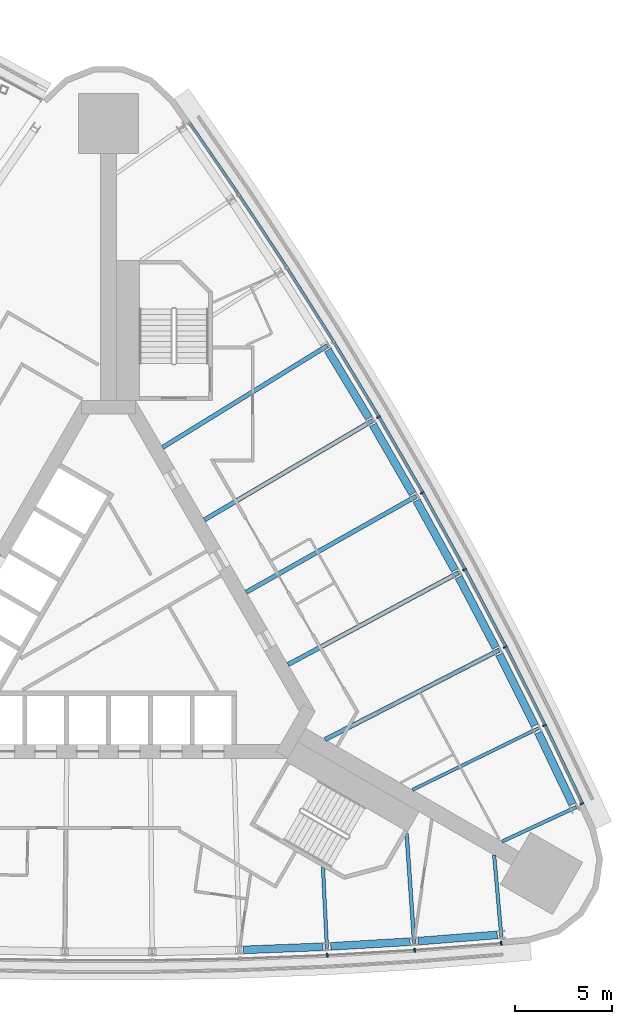
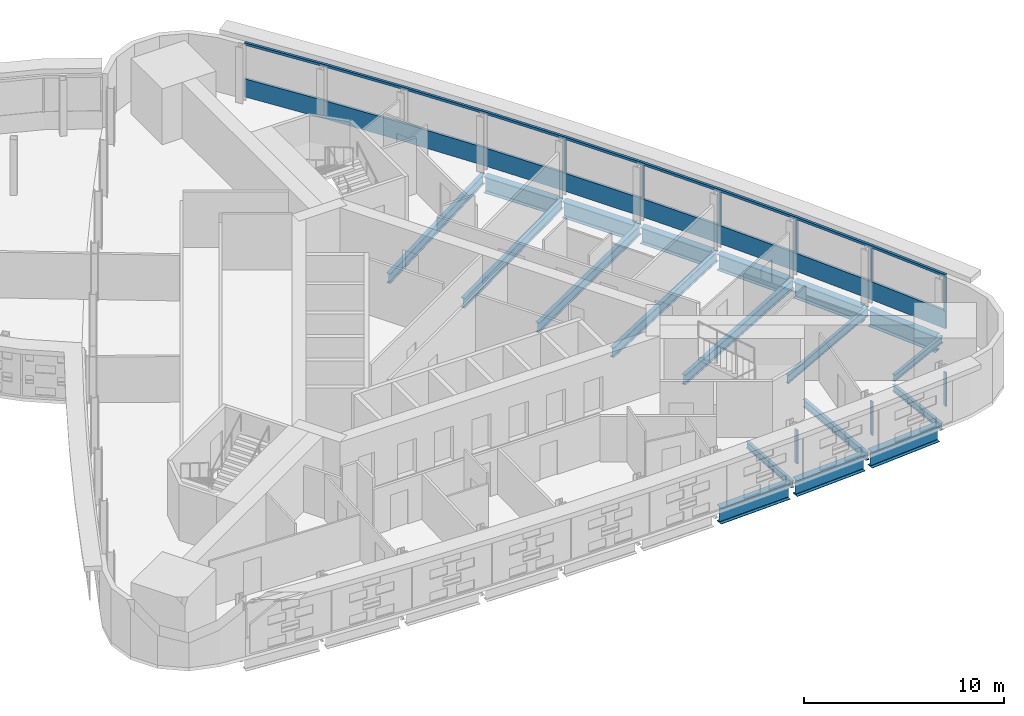
# One storey, part 7 of 16: 19 beams, 11 members, 2 elements without a shape of their own.
"""IFC4 building model written with IfcOpenShell, lengths in metres."""

from ifc_helpers import new_model, si_unit, direction, frame, origin, origin_2d, place, context, subcontext, project, spatial, polyline, rectangle, i_section, outline, extrude, material, material_profile, profile_set, type_object, element, aggregate, save


model = new_model("IFC4")

# Units and contexts
model_context = context("Model", 3, precision=1e-05, world=origin(), true_north=direction((0.0, 1.0)))
body_context = subcontext(model_context, "Body", "Model", "MODEL_VIEW")
ifc_project = project(units=[si_unit("LENGTHUNIT", "METRE"), si_unit("AREAUNIT", "SQUARE_METRE"), si_unit("VOLUMEUNIT", "CUBIC_METRE"), si_unit("PLANEANGLEUNIT", "RADIAN"), si_unit("MASSUNIT", "GRAM", prefix="KILO")], contexts=[model_context])

# Site, building, storey
site_placement = place(None, origin())
site = spatial("IfcSite", under=ifc_project, at=site_placement, CompositionType="ELEMENT")
building_placement = place(site_placement, origin())
building = spatial("IfcBuilding", under=site, at=building_placement, Name="Noor Cloister Tower", CompositionType="ELEMENT")
storey_placement = place(building_placement, frame((0.0, 0.0, 91.5)))
storey = spatial("IfcBuildingStorey", under=building, at=storey_placement, Name="L23", CompositionType="ELEMENT", Elevation=91.5)

# Beams
ifc_material_1 = material(Name="Steel ASTM A992 Gr 50", Category="steel")
ifc_material_profile_1 = material_profile(ifc_material_1, i_section(OverallWidth=0.40087890625, OverallDepth=0.98291015625, WebThickness=0.0166015625, FlangeThickness=0.027099609375, FilletRadius=0.030029296875, at=origin_2d()), Name="W1000x296")
ifc_profile_set_1 = profile_set([ifc_material_profile_1], Name="Steel ASTM A992 Gr 50")
beam_type_1 = type_object("IfcBeamType", Name="Belt chord girder W1000x296", PredefinedType="BEAM", material=ifc_profile_set_1)
for number, where, z_axis, x_axis, name in (
    (1, (6.93310546875, -16.770263671875, -0.69140625), (0.999225288123, 0.039355095916, 0.0), (-0.039355095916, 0.999225288123, 0.0), "Spandrel beam S 07 L23"),
    (2, (11.41845703125, -16.589599609375, -0.69140625), (0.998257859765, 0.059002079771, 0.0), (-0.059002079771, 0.998257859765, 0.0), "Spandrel beam S 08 L23"),
    (3, (15.899658203125, -16.32080078125, -0.69140625), (0.996902216322, 0.078650944641, 0.0), (-0.078650944641, 0.996902216322, 0.0), "Spandrel beam S 09 L23"),
    (4, (23.84326171875, -9.29931640625, -0.69140625), (-0.430341530423, 0.902666143817, 0.0), (-0.902666143817, -0.430341530423, 0.0), "Spandrel beam NE 01 L23"),
    (5, (21.90771484375, -5.248779296875, -0.69140625), (-0.448025614309, 0.894020720634, 0.0), (-0.894020720634, -0.448025614309, 0.0), "Spandrel beam NE 02 L23"),
    (6, (19.89306640625, -1.2373046875, -0.69140625), (-0.465512591223, 0.885041257464, 0.0), (-0.885041257464, -0.465512591223, 0.0), "Spandrel beam NE 03 L23"),
):
    element("IfcBeam", number, at=place(storey_placement, frame(where, z_axis=z_axis, x_axis=x_axis)), inside=storey, type_object=beam_type_1, Name=name, PredefinedType="BEAM", context=body_context, shape_type="SweptSolid", body=[
        extrude(i_section(OverallWidth=0.40087890625, OverallDepth=0.98291015625, WebThickness=0.0166015625, FlangeThickness=0.027099609375, FilletRadius=0.030029296875, at=origin_2d()), origin(), (0.0, 0.0, 1.0), 4.088134765625),
    ])
beam_1_placement = place(storey_placement, frame((17.7998046875, 2.73388671875, -0.69140625), z_axis=(-0.482851559561, 0.875702216184, 0.0), x_axis=(-0.875702216184, -0.482851559561, 0.0)))
element("IfcBeam", 7, at=beam_1_placement, inside=storey, type_object=beam_type_1, Name="Spandrel beam NE 04 L23", PredefinedType="BEAM", context=body_context, shape_type="SweptSolid", body=[
    extrude(i_section(OverallWidth=0.40087890625, OverallDepth=0.98291015625, WebThickness=0.0166015625, FlangeThickness=0.027099609375, FilletRadius=0.030029296875, at=origin_2d()), origin(), (0.0, 0.0, 1.0), 4.087890625),
])
for number, where, z_axis, x_axis, name in (
    (8, (15.62890625, 6.6630859375, -0.69140625), (-0.500037791097, 0.866003583985, 0.0), (-0.866003583985, -0.500037791097, 0.0), "Spandrel beam NE 05 L23"),
    (9, (13.380859375, 10.548583984375, -0.69140625), (-0.516935158604, 0.856024556773, 0.0), (-0.856024556773, -0.516935158604, 0.0), "Spandrel beam NE 06 L23"),
):
    element("IfcBeam", number, at=place(storey_placement, frame(where, z_axis=z_axis, x_axis=x_axis)), inside=storey, type_object=beam_type_1, Name=name, PredefinedType="BEAM", context=body_context, shape_type="SweptSolid", body=[
        extrude(i_section(OverallWidth=0.40087890625, OverallDepth=0.98291015625, WebThickness=0.0166015625, FlangeThickness=0.027099609375, FilletRadius=0.030029296875, at=origin_2d()), origin(), (0.0, 0.0, 1.0), 4.088134765625),
    ])

# Curtain wall, member
ifc_material_2 = material(Name="Aluminium 6063-T6 anodised", Category="aluminium")
curtain_wall_type = type_object("IfcCurtainWallType", Name="Ribbon curtain wall, lower tower CW1", PredefinedType="NOTDEFINED", material=ifc_material_2)
curtain_wall_1_placement = place(storey_placement, origin())
curtain_wall_1 = element("IfcCurtainWall", 10, at=curtain_wall_1_placement, inside=storey, type_object=curtain_wall_type, Name="CW1 L23 NE run 4", PredefinedType="NOTDEFINED")
ifc_material_3 = material(Name="Aluminium 6063-T6 anodised", Category="aluminium")
member_type_1 = type_object("IfcMemberType", Name="Head transom CW1 150", PredefinedType="USERDEFINED", material=ifc_material_3)
member_1_placement = place(storey_placement, frame((0.0, 0.0, 3.14990234375)))
member_1 = element("IfcMember", 11, at=member_1_placement, type_object=member_type_1, Name="CW1 head transom", ObjectType="TRANSOM", PredefinedType="USERDEFINED", context=body_context, shape_type="SweptSolid", body=[
    extrude(outline(polyline([(24.42822265625, -9.24853515625), (22.49169921875, -5.1865234375), (20.475830078125, -1.16357421875), (18.380859375, 2.819091796875), (16.2080078125, 6.759765625), (13.9580078125, 10.65673828125), (11.6318359375, 14.5087890625), (9.230224609375, 18.314208984375), (6.754150390625, 22.07177734375), (4.204833984375, 25.77978515625), (4.08935546875, 25.700439453125), (6.63818359375, 21.993408203125), (9.112548828125, 18.23828125), (11.5126953125, 14.435302734375), (13.83740234375, 10.58544921875), (16.086181640625, 6.69091796875), (18.257568359375, 2.752685546875), (20.35107421875, -1.2275390625), (22.365966796875, -5.248046875), (24.302001953125, -9.30859375), (24.42822265625, -9.24853515625)])), origin(), (0.0, 0.0, 1.0), 0.150146484375),
])

# Curtain wall, members
curtain_wall_2_placement = place(storey_placement, origin())
curtain_wall_2 = element("IfcCurtainWall", 12, at=curtain_wall_2_placement, inside=storey, type_object=curtain_wall_type, Name="CW1 L23 S run 3", PredefinedType="NOTDEFINED")
ifc_material_4 = material(Name="Aluminium 6063-T6 anodised", Category="aluminium")
ifc_material_profile_2 = material_profile(ifc_material_4, rectangle(XDim=0.199951171875, YDim=0.080078125, at=origin_2d()), Name="200 x 80 mullion")
ifc_profile_set_2 = profile_set([ifc_material_profile_2], Name="Aluminium 6063-T6 anodised")
member_type_2 = type_object("IfcMemberType", Name="Mullion CW1 80 x 200", PredefinedType="MULLION", material=ifc_profile_set_2)
member_2_placement = place(storey_placement, frame((11.240478515625, -17.05078125, 1.10009765625), z_axis=(0.0, 0.0, 1.0), x_axis=(-0.049188322705, 0.998789521826, 0.0)))
member_2 = element("IfcMember", 13, at=member_2_placement, type_object=member_type_2, Name="CW1 mullion 8", PredefinedType="MULLION", context=body_context, shape_type="SweptSolid", body=[
    extrude(rectangle(XDim=0.199951171875, YDim=0.080078125, at=origin_2d()), origin(), (0.0, 0.0, 1.0), 2.0498046875),
])
member_3_placement = place(storey_placement, frame((15.730712890625, -16.785400390625, 1.10009765625), z_axis=(0.0, 0.0, 1.0), x_axis=(-0.068836981101, 0.997627921639, 0.0)))
member_3 = element("IfcMember", 14, at=member_3_placement, type_object=member_type_2, Name="CW1 mullion 9", PredefinedType="MULLION", context=body_context, shape_type="SweptSolid", body=[
    extrude(rectangle(XDim=0.199951171875, YDim=0.080078125, at=origin_2d()), origin(), (0.0, 0.0, 1.0), 2.0498046875),
])
member_4_placement = place(storey_placement, frame((20.17578125, -16.434814453125, 1.10009765625), z_axis=(0.0, 0.0, 1.0), x_axis=(-0.078651776212, 0.996902150714, 0.0)))
member_4 = element("IfcMember", 15, at=member_4_placement, type_object=member_type_2, Name="CW1 mullion 10", PredefinedType="MULLION", context=body_context, shape_type="SweptSolid", body=[
    extrude(rectangle(XDim=0.199951171875, YDim=0.080078125, at=origin_2d()), origin(), (0.0, 0.0, 1.0), 2.0498046875),
])
aggregate(curtain_wall_2, [member_2, member_3, member_4])

# Member
member_5_placement = place(storey_placement, frame((24.32080078125, -9.25537109375, 1.10009765625), z_axis=(0.0, 0.0, 1.0), x_axis=(-0.902668475712, -0.430336639105, 0.0)))
member_5 = element("IfcMember", 16, at=member_5_placement, type_object=member_type_2, Name="CW1 mullion 1", PredefinedType="MULLION", context=body_context, shape_type="SweptSolid", body=[
    extrude(rectangle(XDim=0.199951171875, YDim=0.080078125, at=origin_2d()), origin(), (0.0, 0.0, 1.0), 2.0498046875),
])

member_6_placement = place(storey_placement, frame((22.40185546875, -5.23046875, 1.10009765625), z_axis=(0.0, 0.0, 1.0), x_axis=(-0.898389614214, -0.439199386466, 0.0)))
member_6 = element("IfcMember", 17, at=member_6_placement, type_object=member_type_2, Name="CW1 mullion 2", PredefinedType="MULLION", context=body_context, shape_type="SweptSolid", body=[
    extrude(rectangle(XDim=0.199951171875, YDim=0.080078125, at=origin_2d()), origin(), (0.0, 0.0, 1.0), 2.0498046875),
])

member_7_placement = place(storey_placement, frame((20.38671875, -1.209228515625, 1.10009765625), z_axis=(0.0, 0.0, 1.0), x_axis=(-0.889571260287, -0.456796423881, 0.0)))
member_7 = element("IfcMember", 18, at=member_7_placement, type_object=member_type_2, Name="CW1 mullion 3", PredefinedType="MULLION", context=body_context, shape_type="SweptSolid", body=[
    extrude(rectangle(XDim=0.199951171875, YDim=0.080078125, at=origin_2d()), origin(), (0.0, 0.0, 1.0), 2.0498046875),
])

member_8_placement = place(storey_placement, frame((18.292724609375, 2.771728515625, 1.10009765625), z_axis=(0.0, 0.0, 1.0), x_axis=(-0.880408277748, -0.474216474275, 0.0)))
member_8 = element("IfcMember", 19, at=member_8_placement, type_object=member_type_2, Name="CW1 mullion 4", PredefinedType="MULLION", context=body_context, shape_type="SweptSolid", body=[
    extrude(rectangle(XDim=0.199951171875, YDim=0.080078125, at=origin_2d()), origin(), (0.0, 0.0, 1.0), 2.0498046875),
])

member_9_placement = place(storey_placement, frame((16.120849609375, 6.71044921875, 1.10009765625), z_axis=(0.0, 0.0, 1.0), x_axis=(-0.87090420026, -0.491452819678, 0.0)))
member_9 = element("IfcMember", 20, at=member_9_placement, type_object=member_type_2, Name="CW1 mullion 5", PredefinedType="MULLION", context=body_context, shape_type="SweptSolid", body=[
    extrude(rectangle(XDim=0.199951171875, YDim=0.080078125, at=origin_2d()), origin(), (0.0, 0.0, 1.0), 2.0498046875),
])

member_10_placement = place(storey_placement, frame((13.8720703125, 10.60595703125, 1.10009765625), z_axis=(0.0, 0.0, 1.0), x_axis=(-0.861062726733, -0.508498751848, 0.0)))
member_10 = element("IfcMember", 21, at=member_10_placement, type_object=member_type_2, Name="CW1 mullion 6", PredefinedType="MULLION", context=body_context, shape_type="SweptSolid", body=[
    extrude(rectangle(XDim=0.199951171875, YDim=0.080078125, at=origin_2d()), origin(), (0.0, 0.0, 1.0), 2.0498046875),
])

# Beams
ifc_material_5 = material(Name="Steel ASTM A992 Gr 50", Category="steel")
ifc_material_profile_3 = material_profile(ifc_material_5, i_section(OverallWidth=0.177978515625, OverallDepth=0.406005859375, WebThickness=0.0078125, FlangeThickness=0.0126953125, FilletRadius=0.01025390625, at=origin_2d()), Name="W410x60")
ifc_profile_set_3 = profile_set([ifc_material_profile_3], Name="Steel ASTM A992 Gr 50")
beam_type_2 = type_object("IfcBeamType", Name="Radial beam W410x60", PredefinedType="BEAM", material=ifc_profile_set_3)
beam_2_placement = place(storey_placement, frame((11.223388671875, -16.701904296875, -0.403076171875), z_axis=(-0.049178201451, 0.998790020225, 0.0), x_axis=(-0.998790020225, -0.049178201451, 0.0)))
element("IfcBeam", 22, at=beam_2_placement, inside=storey, type_object=beam_type_2, Name="Radial beam S 08 L23", PredefinedType="BEAM", context=body_context, shape_type="SweptSolid", body=[
    extrude(i_section(OverallWidth=0.177978515625, OverallDepth=0.406005859375, WebThickness=0.0078125, FlangeThickness=0.0126953125, FilletRadius=0.01025390625, at=origin_2d()), origin(), (0.0, 0.0, 1.0), 4.18505859375),
])
beam_3_placement = place(storey_placement, frame((20.183837890625, -16.08349609375, -0.403076171875), z_axis=(-0.088480829531, 0.99607787989, 0.0), x_axis=(-0.99607787989, -0.088480829531, 0.0)))
element("IfcBeam", 23, at=beam_3_placement, inside=storey, type_object=beam_type_2, Name="Radial beam S 10 L23", PredefinedType="BEAM", context=body_context, shape_type="SweptSolid", body=[
    extrude(i_section(OverallWidth=0.177978515625, OverallDepth=0.406005859375, WebThickness=0.0078125, FlangeThickness=0.0126953125, FilletRadius=0.01025390625, at=origin_2d()), origin(), (0.0, 0.0, 1.0), 4.199462890625),
])
beam_4_placement = place(storey_placement, frame((24.0205078125, -9.43798828125, -0.403076171875), z_axis=(-0.906851874526, -0.421449495989, 0.0), x_axis=(0.421449495989, -0.906851874526, 0.0)))
element("IfcBeam", 24, at=beam_4_placement, inside=storey, type_object=beam_type_2, Name="Radial beam NE 01 L23", PredefinedType="BEAM", context=body_context, shape_type="SweptSolid", body=[
    extrude(i_section(OverallWidth=0.177978515625, OverallDepth=0.406005859375, WebThickness=0.0078125, FlangeThickness=0.0126953125, FilletRadius=0.01025390625, at=origin_2d()), origin(), (0.0, 0.0, 1.0), 4.19921875),
])
ifc_material_6 = material(Name="Steel ASTM A992 Gr 50", Category="steel")
ifc_material_profile_4 = material_profile(ifc_material_6, i_section(OverallWidth=0.19091796875, OverallDepth=0.45703125, WebThickness=0.009033203125, FlangeThickness=0.014404296875, FilletRadius=0.01025390625, at=origin_2d()), Name="W460x74")
ifc_profile_set_4 = profile_set([ifc_material_profile_4], Name="Steel ASTM A992 Gr 50")
beam_type_3 = type_object("IfcBeamType", Name="Radial beam W460x74", PredefinedType="BEAM", material=ifc_profile_set_4)
beam_5_placement = place(storey_placement, frame((15.70654296875, -16.436767578125, -0.428466796875), z_axis=(-0.068806527571, 0.997630022485, 0.0), x_axis=(-0.997630022485, -0.068806527571, 0.0)))
element("IfcBeam", 25, at=beam_5_placement, inside=storey, type_object=beam_type_3, Name="Radial beam S 09 L23", PredefinedType="BEAM", context=body_context, shape_type="SweptSolid", body=[
    extrude(i_section(OverallWidth=0.19091796875, OverallDepth=0.45703125, WebThickness=0.009033203125, FlangeThickness=0.014404296875, FilletRadius=0.01025390625, at=origin_2d()), origin(), (0.0, 0.0, 1.0), 5.66650390625),
])
ifc_material_7 = material(Name="Steel ASTM A992 Gr 50", Category="steel")
ifc_material_profile_5 = material_profile(ifc_material_7, i_section(OverallWidth=0.166015625, OverallDepth=0.528076171875, WebThickness=0.009765625, FlangeThickness=0.013671875, FilletRadius=0.0126953125, at=origin_2d()), Name="W530x74")
ifc_profile_set_5 = profile_set([ifc_material_profile_5], Name="Steel ASTM A992 Gr 50")
beam_type_4 = type_object("IfcBeamType", Name="Radial beam W530x74", PredefinedType="BEAM", material=ifc_profile_set_5)
beam_6_placement = place(storey_placement, frame((22.087890625, -5.384033203125, -0.464111328125), z_axis=(-0.898387033035, -0.439204666271, 0.0), x_axis=(0.439204666271, -0.898387033035, 0.0)))
element("IfcBeam", 26, at=beam_6_placement, inside=storey, type_object=beam_type_4, Name="Radial beam NE 02 L23", PredefinedType="BEAM", context=body_context, shape_type="SweptSolid", body=[
    extrude(i_section(OverallWidth=0.166015625, OverallDepth=0.528076171875, WebThickness=0.009765625, FlangeThickness=0.013671875, FilletRadius=0.0126953125, at=origin_2d()), origin(), (0.0, 0.0, 1.0), 7.210205078125),
])
ifc_material_8 = material(Name="Steel ASTM A992 Gr 50", Category="steel")
ifc_material_profile_6 = material_profile(ifc_material_8, i_section(OverallWidth=0.22802734375, OverallDepth=0.60205078125, WebThickness=0.010498046875, FlangeThickness=0.014892578125, FilletRadius=0.0126953125, at=origin_2d()), Name="W610x101")
ifc_profile_set_6 = profile_set([ifc_material_profile_6], Name="Steel ASTM A992 Gr 50")
beam_type_5 = type_object("IfcBeamType", Name="Radial beam W610x101", PredefinedType="BEAM", material=ifc_profile_set_6)
beam_7_placement = place(storey_placement, frame((20.075927734375, -1.368896484375, -0.5009765625), z_axis=(-0.889579280907, -0.456780804085, 0.0), x_axis=(0.456780804085, -0.889579280907, 0.0)))
element("IfcBeam", 27, at=beam_7_placement, inside=storey, type_object=beam_type_5, Name="Radial beam NE 03 L23", PredefinedType="BEAM", context=body_context, shape_type="SweptSolid", body=[
    extrude(i_section(OverallWidth=0.22802734375, OverallDepth=0.60205078125, WebThickness=0.010498046875, FlangeThickness=0.014892578125, FilletRadius=0.0126953125, at=origin_2d()), origin(), (0.0, 0.0, 1.0), 10.057861328125),
])
beam_8_placement = place(storey_placement, frame((17.985107421875, 2.60595703125, -0.5009765625), z_axis=(-0.880406516163, -0.474219744736, 0.0), x_axis=(0.474219744736, -0.880406516163, 0.0)))
element("IfcBeam", 28, at=beam_8_placement, inside=storey, type_object=beam_type_5, Name="Radial beam NE 04 L23", PredefinedType="BEAM", context=body_context, shape_type="SweptSolid", body=[
    extrude(i_section(OverallWidth=0.22802734375, OverallDepth=0.60205078125, WebThickness=0.010498046875, FlangeThickness=0.014892578125, FilletRadius=0.0126953125, at=origin_2d()), origin(), (0.0, 0.0, 1.0), 9.95458984375),
])
for number, where, z_axis, x_axis, name in (
    (29, (15.816650390625, 6.538818359375, -0.5009765625), (-0.870901874431, -0.491456941259, 0.0), (0.491456941259, -0.870901874431, 0.0), "Radial beam NE 05 L23"),
    (30, (13.571044921875, 10.42822265625, -0.5009765625), (-0.86106399039, -0.508496612038, 0.0), (0.508496612038, -0.86106399039, 0.0), "Radial beam NE 06 L23"),
):
    element("IfcBeam", number, at=place(storey_placement, frame(where, z_axis=z_axis, x_axis=x_axis)), inside=storey, type_object=beam_type_5, Name=name, PredefinedType="BEAM", context=body_context, shape_type="SweptSolid", body=[
        extrude(i_section(OverallWidth=0.22802734375, OverallDepth=0.60205078125, WebThickness=0.010498046875, FlangeThickness=0.014892578125, FilletRadius=0.0126953125, at=origin_2d()), origin(), (0.0, 0.0, 1.0), 10.039306640625),
    ])
beam_9_placement = place(storey_placement, frame((11.249267578125, 14.272705078125, -0.5009765625), z_axis=(-0.850881836439, -0.525357117034, 0.0), x_axis=(0.525357117034, -0.850881836439, 0.0)))
element("IfcBeam", 31, at=beam_9_placement, inside=storey, type_object=beam_type_5, Name="Radial beam NE 07 L23", PredefinedType="BEAM", context=body_context, shape_type="SweptSolid", body=[
    extrude(i_section(OverallWidth=0.22802734375, OverallDepth=0.60205078125, WebThickness=0.010498046875, FlangeThickness=0.014892578125, FilletRadius=0.0126953125, at=origin_2d()), origin(), (0.0, 0.0, 1.0), 9.95458984375),
])

# Member
ifc_material_9 = material(Name="Aluminium 6063-T6 anodised", Category="aluminium")
member_type_3 = type_object("IfcMemberType", Name="Sill transom CW1 1100", PredefinedType="USERDEFINED", material=ifc_material_9)
member_11_placement = place(storey_placement, origin())
member_11 = element("IfcMember", 32, at=member_11_placement, type_object=member_type_3, Name="CW1 sill transom", ObjectType="TRANSOM", PredefinedType="USERDEFINED", context=body_context, shape_type="SweptSolid", body=[
    extrude(outline(polyline([(24.42822265625, -9.24853515625), (22.49169921875, -5.1865234375), (20.475830078125, -1.16357421875), (18.380859375, 2.819091796875), (16.2080078125, 6.759765625), (13.9580078125, 10.65673828125), (11.6318359375, 14.5087890625), (9.230224609375, 18.314208984375), (6.754150390625, 22.07177734375), (4.204833984375, 25.77978515625), (4.08935546875, 25.700439453125), (6.63818359375, 21.993408203125), (9.112548828125, 18.23828125), (11.5126953125, 14.435302734375), (13.83740234375, 10.58544921875), (16.086181640625, 6.69091796875), (18.257568359375, 2.752685546875), (20.35107421875, -1.2275390625), (22.365966796875, -5.248046875), (24.302001953125, -9.30859375), (24.42822265625, -9.24853515625)])), origin(), (0.0, 0.0, 1.0), 1.10009765625),
])

aggregate(curtain_wall_1, [member_5, member_6, member_7, member_8, member_9, member_10, member_11, member_1])

save(model, "model.ifc")
